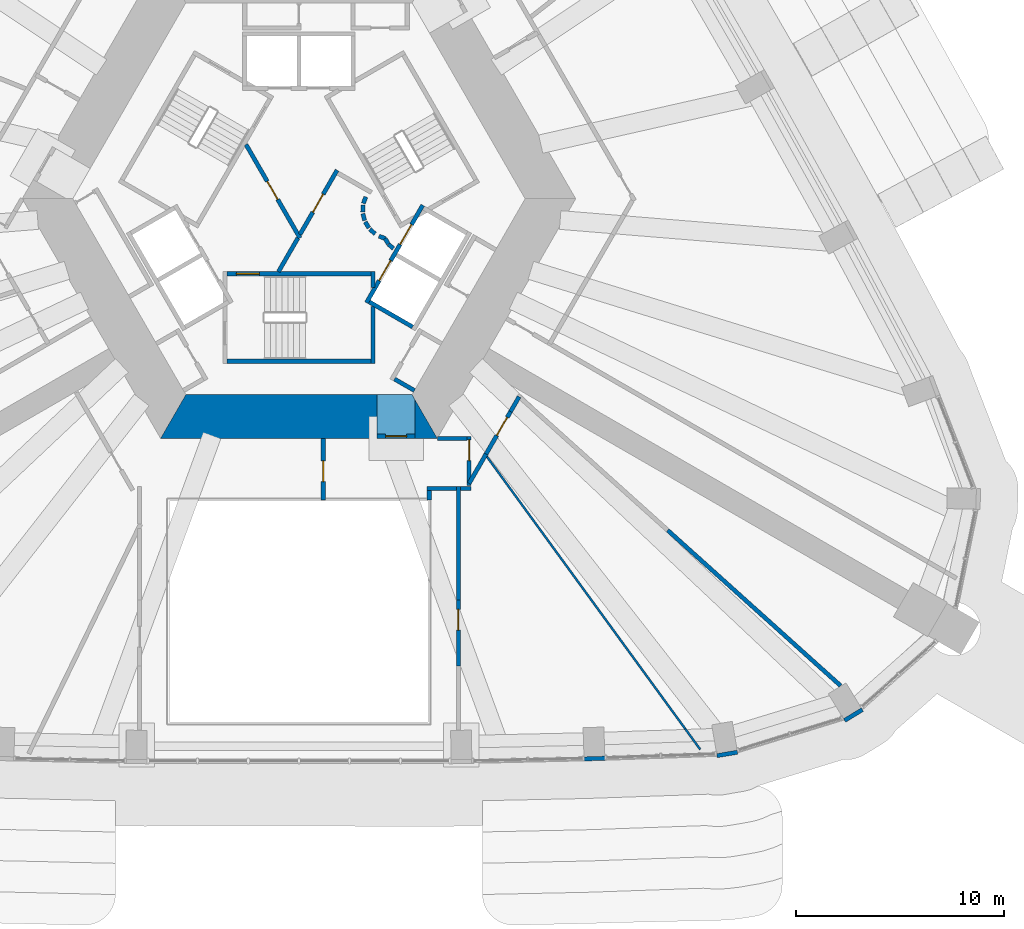
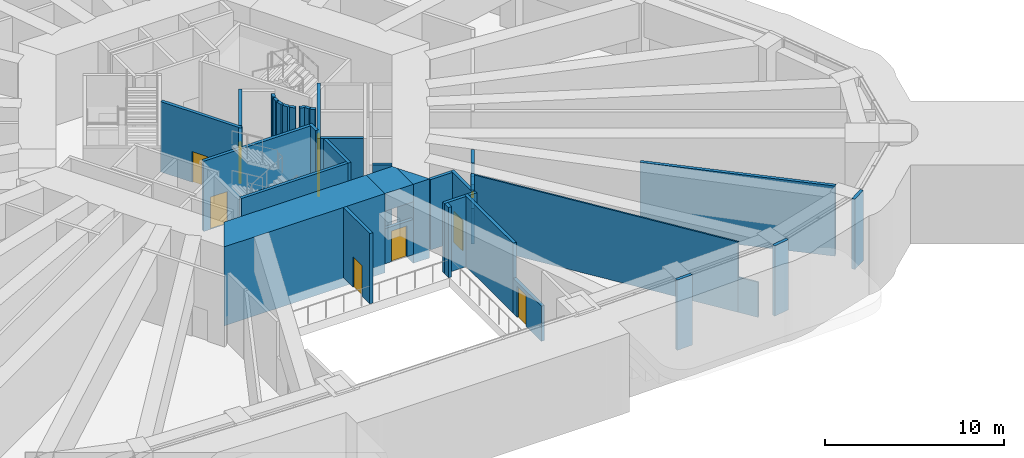
# One storey, part 9 of 21: 40 walls, 10 doors, 10 openings.
"""IFC4 building model written with IfcOpenShell, lengths in metres."""

from ifc_helpers import new_model, si_unit, direction, frame, frame_2d, origin, place, context, subcontext, project, spatial, polyline, rectangle, outline, extrude, material, layer, layer_set, type_object, element, fill, save


model = new_model("IFC4")

# Units and contexts
model_context = context("Model", 3, precision=1e-05, world=origin(), true_north=direction((0.0, 1.0)))
body_context = subcontext(model_context, "Body", "Model", "MODEL_VIEW")
ifc_project = project(units=[si_unit("LENGTHUNIT", "METRE"), si_unit("AREAUNIT", "SQUARE_METRE"), si_unit("VOLUMEUNIT", "CUBIC_METRE"), si_unit("PLANEANGLEUNIT", "RADIAN"), si_unit("MASSUNIT", "GRAM", prefix="KILO")], contexts=[model_context])

# Site, building, storey
site_placement = place(None, origin())
site = spatial("IfcSite", under=ifc_project, at=site_placement, CompositionType="ELEMENT")
building_placement = place(site_placement, origin())
building = spatial("IfcBuilding", under=site, at=building_placement, Name="Entoto Arch Interchange Tower", CompositionType="ELEMENT")
storey_placement = place(building_placement, frame((0.0, 0.0, 236.0)))
storey = spatial("IfcBuildingStorey", under=building, at=storey_placement, Name="L53", CompositionType="ELEMENT", Elevation=236.0)

# Wall, opening, door
ifc_material_1 = material(Name="Reinforced concrete C40/50", Category="concrete")
ifc_layer_1 = layer(ifc_material_1, 0.199951171875)
ifc_layer_set_1 = layer_set([ifc_layer_1], Name="Reinforced concrete C40/50")
wall_type_1 = type_object("IfcWallType", Name="CORE GAP INFILL WALL", PredefinedType="PARTITIONING", material=ifc_layer_set_1)
wall_1_placement = place(storey_placement, frame((3.75, -8.89990234375, 0.0), z_axis=(0.0, 0.0, 1.0), x_axis=(1.0, 0.0, 0.0)))
wall_1 = element("IfcWall", 1, at=wall_1_placement, inside=storey, type_object=wall_type_1, Name="wall:L53:gap1", PredefinedType="PARTITIONING", context=body_context, shape_type="SweptSolid", body=[
    extrude(rectangle(XDim=1.830078125, YDim=0.199951171875, at=frame_2d((0.9150390625, 0.0))), origin(), (0.0, 0.0, 1.0), 2.39990234375),
])
opening_1_placement = place(wall_1_placement, frame((0.4150390625, 0.0, 0.0)))
opening_1 = element("IfcOpeningElement", 2, at=opening_1_placement, cuts=wall_1, Name="Opening L53-D91", PredefinedType="OPENING", context=body_context, shape_type="SweptSolid", body=[
    extrude(rectangle(XDim=1.0, YDim=2.10009765625, at=frame_2d((0.5, 1.050048828125))), frame((0.0, 0.10986328125, 0.0), z_axis=(0.0, -1.0, 0.0), x_axis=(1.0, 0.0, 0.0)), (0.0, 0.0, 1.0), 0.219970703125),
])
ifc_material_2 = material(Name="Fire-rated Steel S235 door and frame", Category="steel")
door_type_1 = type_object("IfcDoorType", Name="DOOR FD-10 1000x2100", OperationType="SINGLE_SWING_LEFT", PredefinedType="DOOR", material=ifc_material_2)
door_1_placement = place(opening_1_placement, origin())
door_1 = element("IfcDoor", 3, at=door_1_placement, inside=storey, type_object=door_type_1, Name="door:L53:gap1", OperationType="SINGLE_SWING_LEFT", OverallHeight=2.10009765625, OverallWidth=1.0, PredefinedType="DOOR", context=body_context, shape_type="SweptSolid", body=[
    extrude(rectangle(XDim=1.0, YDim=2.10009765625, at=frame_2d((0.5, 1.050048828125))), frame((0.0, 0.02490234375, 0.0), z_axis=(0.0, -1.0, 0.0), x_axis=(1.0, 0.0, 0.0)), (0.0, 0.0, 1.0), 0.050048828125),
])
fill(opening_1, door_1)

# Walls
ifc_material_3 = material(Name="Concrete C50/60", Category="concrete")
ifc_layer_2 = layer(ifc_material_3, 2.10009765625)
ifc_layer_set_2 = layer_set([ifc_layer_2], Name="Concrete C50/60")
wall_type_2 = type_object("IfcWallType", Name="Core wall 2100 C50/60", PredefinedType="SHEAR", material=ifc_layer_set_2)
wall_2_placement = place(storey_placement, frame((0.0, 0.0, -0.60009765625)))
element("IfcWall", 4, at=wall_2_placement, inside=storey, type_object=wall_type_2, Name="Core wall S L53", PredefinedType="SHEAR", context=body_context, shape_type="SweptSolid", body=[
    extrude(outline(polyline([(3.75, -9.0), (3.75, -6.89990234375), (-5.427001953125, -6.89990234375), (-6.639892578125, -9.0), (3.75, -9.0)])), origin(), (0.0, 0.0, 1.0), 5.400146484375),
])
wall_3_placement = place(storey_placement, frame((0.0, 0.0, -0.60009765625)))
element("IfcWall", 5, at=wall_3_placement, inside=storey, type_object=wall_type_2, Name="Core wall S L53", PredefinedType="SHEAR", context=body_context, shape_type="SweptSolid", body=[
    extrude(outline(polyline([(5.580078125, -7.1650390625), (5.580078125, -9.0), (6.639892578125, -9.0), (5.580078125, -7.1650390625)])), origin(), (0.0, 0.0, 1.0), 5.400146484375),
])
wall_4_placement = place(storey_placement, frame((0.0, 0.0, 3.60009765625)))
element("IfcWall", 6, at=wall_4_placement, inside=storey, type_object=wall_type_2, Name="Core wall lintel S L53", PredefinedType="SHEAR", context=body_context, shape_type="SweptSolid", body=[
    extrude(outline(polyline([(5.580078125, -9.0), (5.580078125, -7.1650390625), (5.427001953125, -6.89990234375), (3.75, -6.89990234375), (3.75, -9.0), (5.580078125, -9.0)])), origin(), (0.0, 0.0, 1.0), 1.199951171875),
])

# Wall, openings, doors
ifc_material_4 = material(Name="Concrete C40/50", Category="concrete")
ifc_layer_3 = layer(ifc_material_4, 0.199951171875)
ifc_layer_set_3 = layer_set([ifc_layer_3], Name="Concrete C40/50")
wall_type_3 = type_object("IfcWallType", Name="LIFT SHAFT WALL 200", PredefinedType="STANDARD", material=ifc_layer_set_3)
wall_5_placement = place(storey_placement, frame((3.239990234375, -2.488037109375, 0.0), z_axis=(0.0, 0.0, 1.0), x_axis=(0.500034260056, 0.866005622828, 0.0)))
wall_5 = element("IfcWall", 7, at=wall_5_placement, inside=storey, type_object=wall_type_3, Name="Shaft wall SE1 front", PredefinedType="STANDARD", context=body_context, shape_type="SweptSolid", body=[
    extrude(rectangle(XDim=5.3994140625, YDim=0.199951171875, at=frame_2d((2.69970703125, 0.0))), origin(), (0.0, 0.0, 1.0), 4.800048828125),
])
opening_2_placement = place(wall_5_placement, frame((3.22509765625, 0.0, 0.0)))
opening_2 = element("IfcOpeningElement", 8, at=opening_2_placement, cuts=wall_5, Name="Opening LD-HR3-L53", PredefinedType="OPENING", context=body_context, shape_type="SweptSolid", body=[
    extrude(rectangle(XDim=1.10009765625, YDim=2.10009765625, at=frame_2d((0.550048828125, 1.050048828125))), frame((0.0, 0.10986328125, 0.0), z_axis=(0.0, -1.0, 0.0), x_axis=(1.0, 0.0, 0.0)), (0.0, 0.0, 1.0), 0.219970703125),
])
opening_3_placement = place(wall_5_placement, frame((1.22509765625, 0.0, 0.0)))
opening_3 = element("IfcOpeningElement", 9, at=opening_3_placement, cuts=wall_5, Name="Opening LD-FF1-L53", PredefinedType="OPENING", context=body_context, shape_type="SweptSolid", body=[
    extrude(rectangle(XDim=1.10009765625, YDim=2.10009765625, at=frame_2d((0.550048828125, 1.050048828125))), frame((0.0, 0.10986328125, 0.0), z_axis=(0.0, -1.0, 0.0), x_axis=(1.0, 0.0, 0.0)), (0.0, 0.0, 1.0), 0.219970703125),
])
ifc_material_5 = material(Name="Stainless steel 1.4301 panels", Category="steel")
door_type_2 = type_object("IfcDoorType", Name="LIFT LANDING DOOR LD1 1100x2100", OperationType="SLIDING_TO_LEFT", PredefinedType="DOOR", material=ifc_material_5)
door_2_placement = place(opening_2_placement, origin())
door_2 = element("IfcDoor", 10, at=door_2_placement, inside=storey, type_object=door_type_2, Name="Lift landing door HR3 L53", OperationType="SLIDING_TO_LEFT", OverallHeight=2.10009765625, OverallWidth=1.10009765625, PredefinedType="DOOR", context=body_context, shape_type="SweptSolid", body=[
    extrude(rectangle(XDim=1.10009765625, YDim=2.10009765625, at=frame_2d((0.550048828125, 1.050048828125))), frame((0.0, 0.02490234375, 0.0), z_axis=(0.0, -1.0, 0.0), x_axis=(1.0, 0.0, 0.0)), (0.0, 0.0, 1.0), 0.050048828125),
])
fill(opening_2, door_2)
door_3_placement = place(opening_3_placement, origin())
door_3 = element("IfcDoor", 11, at=door_3_placement, inside=storey, type_object=door_type_2, Name="Lift landing door FF1 L53", OperationType="SLIDING_TO_LEFT", OverallHeight=2.10009765625, OverallWidth=1.10009765625, PredefinedType="DOOR", context=body_context, shape_type="SweptSolid", body=[
    extrude(rectangle(XDim=1.10009765625, YDim=2.10009765625, at=frame_2d((0.550048828125, 1.050048828125))), frame((0.0, 0.02490234375, 0.0), z_axis=(0.0, -1.0, 0.0), x_axis=(1.0, 0.0, 0.0)), (0.0, 0.0, 1.0), 0.050048828125),
])
fill(opening_3, door_3)

# Walls
wall_6_placement = place(storey_placement, frame((3.376953125, -2.451904296875, 0.0), z_axis=(0.0, 0.0, 1.0), x_axis=(0.865955154139, -0.50012165622, 0.0)))
element("IfcWall", 12, at=wall_6_placement, inside=storey, type_object=wall_type_3, Name="Shaft wall SE1 cross 1", PredefinedType="STANDARD", context=body_context, shape_type="SweptSolid", body=[
    extrude(rectangle(XDim=2.39990234375, YDim=0.199951171875, at=frame_2d((1.199951171875, 0.0))), origin(), (0.0, 0.0, 1.0), 4.800048828125),
])
ifc_material_6 = material(Name="Gypsum board partition on steel studs", Category="steel")
ifc_layer_4 = layer(ifc_material_6, 0.10009765625)
ifc_layer_set_4 = layer_set([ifc_layer_4], Name="Gypsum board partition on steel studs")
wall_type_4 = type_object("IfcWallType", Name="PARTITION 100", PredefinedType="PARTITIONING", material=ifc_layer_set_4)
wall_7_placement = place(storey_placement, frame((8.89599609375, -9.708984375, 0.0), z_axis=(0.0, 0.0, 1.0), x_axis=(0.588922600502, -0.808189439808, 0.0)))
element("IfcWall", 13, at=wall_7_placement, inside=storey, type_object=wall_type_4, Name="wall:L53:p043", PredefinedType="PARTITIONING", context=body_context, shape_type="SweptSolid", body=[
    extrude(rectangle(XDim=16.36865234375, YDim=0.10009765625, at=frame_2d((8.184326171875, 0.0))), origin(), (0.0, 0.0, 1.0), 4.800048828125),
])
wall_8_placement = place(storey_placement, frame((18.535888671875, -22.93798828125, 0.0), z_axis=(0.0, 0.0, 1.0), x_axis=(0.588777790092, -0.808294942391, 0.0)))
element("IfcWall", 14, at=wall_8_placement, inside=storey, type_object=wall_type_4, Name="wall:L53:p043", PredefinedType="PARTITIONING", context=body_context, shape_type="SweptSolid", body=[
    extrude(rectangle(XDim=1.22119140625, YDim=0.10009765625, at=frame_2d((0.610595703125, 0.0))), origin(), (0.0, 0.0, 1.0), 2.39990234375),
])
ifc_layer_5 = layer(ifc_material_6, 0.199951171875)
ifc_layer_set_5 = layer_set([ifc_layer_5], Name="Gypsum board partition on steel studs")
wall_type_5 = type_object("IfcWallType", Name="PARTITION 200", PredefinedType="PARTITIONING", material=ifc_layer_set_5)
wall_9_placement = place(storey_placement, frame((5.541015625, -6.702880859375, 0.0), z_axis=(0.0, 0.0, 1.0), x_axis=(-0.86621513555, 0.499671230855, 0.0)))
element("IfcWall", 15, at=wall_9_placement, inside=storey, type_object=wall_type_5, Name="wall:L53:p007", PredefinedType="PARTITIONING", context=body_context, shape_type="SweptSolid", body=[
    extrude(rectangle(XDim=1.100341796875, YDim=0.199951171875, at=frame_2d((0.55029296875, 0.0))), origin(), (0.0, 0.0, 1.0), 4.800048828125),
])
wall_10_placement = place(storey_placement, frame((-0.98193359375, -1.0, 0.0), z_axis=(0.0, 0.0, 1.0), x_axis=(0.50024047865, 0.865886518847, 0.0)))
element("IfcWall", 16, at=wall_10_placement, inside=storey, type_object=wall_type_5, Name="wall:L53:p019", PredefinedType="PARTITIONING", context=body_context, shape_type="SweptSolid", body=[
    extrude(rectangle(XDim=1.86279296875, YDim=0.199951171875, at=frame_2d((0.931396484375, 0.0))), origin(), (0.0, 0.0, 1.0), 4.800048828125),
])
wall_11_placement = place(storey_placement, frame((3.2080078125, 2.592041015625, 0.0), z_axis=(0.0, 0.0, 1.0), x_axis=(-0.337388820924, -0.941365382578, 0.0)))
element("IfcWall", 17, at=wall_11_placement, inside=storey, type_object=wall_type_5, Name="wall:L53:p021", PredefinedType="PARTITIONING", context=body_context, shape_type="SweptSolid", body=[
    extrude(rectangle(XDim=0.337890625, YDim=0.199951171875, at=frame_2d((0.1689453125, 0.0))), origin(), (0.0, 0.0, 1.0), 4.800048828125),
])
wall_12_placement = place(storey_placement, frame((3.0791015625, 2.198974609375, 0.0), z_axis=(0.0, 0.0, 1.0), x_axis=(-0.047771483479, -0.998858290933, 0.0)))
element("IfcWall", 18, at=wall_12_placement, inside=storey, type_object=wall_type_5, Name="wall:L53:p022", PredefinedType="PARTITIONING", context=body_context, shape_type="SweptSolid", body=[
    extrude(rectangle(XDim=0.33740234375, YDim=0.199951171875, at=frame_2d((0.168701171875, 0.0))), origin(), (0.0, 0.0, 1.0), 4.800048828125),
])
wall_13_placement = place(storey_placement, frame((3.070068359375, 1.785888671875, 0.0), z_axis=(0.0, 0.0, 1.0), x_axis=(0.242705583207, -0.970099994784, 0.0)))
element("IfcWall", 19, at=wall_13_placement, inside=storey, type_object=wall_type_5, Name="wall:L53:p023", PredefinedType="PARTITIONING", context=body_context, shape_type="SweptSolid", body=[
    extrude(rectangle(XDim=0.337890625, YDim=0.199951171875, at=frame_2d((0.1689453125, 0.0))), origin(), (0.0, 0.0, 1.0), 4.800048828125),
])
for number, where, z_axis, x_axis, name in (
    (20, (3.181884765625, 1.387939453125, 0.0), (0.0, 0.0, 1.0), (0.512474702713, -0.85870232274, 0.0), "wall:L53:p024"),
    (21, (3.404052734375, 1.0390625, 0.0), (0.0, 0.0, 1.0), (0.740267097712, -0.672312891476, 0.0), "wall:L53:p025"),
):
    element("IfcWall", number, at=place(storey_placement, frame(where, z_axis=z_axis, x_axis=x_axis)), inside=storey, type_object=wall_type_5, Name=name, PredefinedType="PARTITIONING", context=body_context, shape_type="SweptSolid", body=[
        extrude(rectangle(XDim=0.337646484375, YDim=0.199951171875, at=frame_2d((0.1689453125, 0.0))), origin(), (0.0, 0.0, 1.0), 4.800048828125),
    ])
wall_14_placement = place(storey_placement, frame((3.837890625, 0.701904296875, 0.0), z_axis=(0.0, 0.0, 1.0), x_axis=(0.941035081519, -0.338308993895, 0.0)))
element("IfcWall", 22, at=wall_14_placement, inside=storey, type_object=wall_type_5, Name="wall:L53:p026", PredefinedType="PARTITIONING", context=body_context, shape_type="SweptSolid", body=[
    extrude(rectangle(XDim=0.3369140625, YDim=0.199951171875, at=frame_2d((0.16845703125, 0.0))), origin(), (0.0, 0.0, 1.0), 4.800048828125),
])
wall_15_placement = place(storey_placement, frame((4.132080078125, 0.593017578125, 0.0), z_axis=(0.0, 0.0, 1.0), x_axis=(0.513561617048, -0.858052717201, 0.0)))
element("IfcWall", 23, at=wall_15_placement, inside=storey, type_object=wall_type_5, Name="wall:L53:p027", PredefinedType="PARTITIONING", context=body_context, shape_type="SweptSolid", body=[
    extrude(rectangle(XDim=0.3076171875, YDim=0.199951171875, at=frame_2d((0.15380859375, 0.0))), origin(), (0.0, 0.0, 1.0), 4.800048828125),
])
wall_16_placement = place(storey_placement, frame((4.301025390625, 0.31494140625, 0.0), z_axis=(0.0, 0.0, 1.0), x_axis=(0.741798017506, -0.670623367639, 0.0)))
element("IfcWall", 24, at=wall_16_placement, inside=storey, type_object=wall_type_5, Name="wall:L53:p028", PredefinedType="PARTITIONING", context=body_context, shape_type="SweptSolid", body=[
    extrude(rectangle(XDim=0.30859375, YDim=0.199951171875, at=frame_2d((0.154296875, 0.0))), origin(), (0.0, 0.0, 1.0), 4.800048828125),
])

# Wall, opening, door
wall_17_placement = place(storey_placement, frame((0.050048828125, 0.787109375, 0.0), z_axis=(0.0, 0.0, 1.0), x_axis=(0.499954076797, 0.866051915934, 0.0)))
wall_17 = element("IfcWall", 25, at=wall_17_placement, inside=storey, type_object=wall_type_5, Name="wall:L53:p029", PredefinedType="PARTITIONING", context=body_context, shape_type="SweptSolid", body=[
    extrude(rectangle(XDim=3.558349609375, YDim=0.199951171875, at=frame_2d((1.779296875, 0.0))), origin(), (0.0, 0.0, 1.0), 4.800048828125),
])
opening_4_placement = place(wall_17_placement, frame((1.22900390625, 0.0, 0.0)))
opening_4 = element("IfcOpeningElement", 26, at=opening_4_placement, cuts=wall_17, Name="Opening L53-D20", PredefinedType="OPENING", context=body_context, shape_type="SweptSolid", body=[
    extrude(rectangle(XDim=1.0, YDim=2.10009765625, at=frame_2d((0.5, 1.050048828125))), frame((0.0, 0.10986328125, 0.0), z_axis=(0.0, -1.0, 0.0), x_axis=(1.0, 0.0, 0.0)), (0.0, 0.0, 1.0), 0.219970703125),
])
door_4_placement = place(opening_4_placement, origin())
door_4 = element("IfcDoor", 27, at=door_4_placement, inside=storey, type_object=door_type_1, Name="door:L53:20", OperationType="SINGLE_SWING_RIGHT", OverallHeight=2.10009765625, OverallWidth=1.0, PredefinedType="DOOR", context=body_context, shape_type="SweptSolid", body=[
    extrude(rectangle(XDim=1.0, YDim=2.10009765625, at=frame_2d((0.5, 1.050048828125))), frame((0.0, 0.02490234375, 0.0), z_axis=(0.0, -1.0, 0.0), x_axis=(1.0, 0.0, 0.0)), (0.0, 0.0, 1.0), 0.050048828125),
])
fill(opening_4, door_4)

wall_18_placement = place(storey_placement, frame((-2.5400390625, 5.10009765625, 0.0), z_axis=(0.0, 0.0, 1.0), x_axis=(0.499925051871, -0.866068670783, 0.0)))
wall_18 = element("IfcWall", 28, at=wall_18_placement, inside=storey, type_object=wall_type_5, Name="wall:L53:p030", PredefinedType="PARTITIONING", context=body_context, shape_type="SweptSolid", body=[
    extrude(rectangle(XDim=5.180908203125, YDim=0.199951171875, at=frame_2d((2.59033203125, 0.0))), origin(), (0.0, 0.0, 1.0), 4.800048828125),
])
opening_5_placement = place(wall_18_placement, frame((2.0400390625, 0.0, 0.0)))
opening_5 = element("IfcOpeningElement", 29, at=opening_5_placement, cuts=wall_18, Name="Opening L53-D21", PredefinedType="OPENING", context=body_context, shape_type="SweptSolid", body=[
    extrude(rectangle(XDim=1.0, YDim=2.10009765625, at=frame_2d((0.5, 1.050048828125))), frame((0.0, 0.10986328125, 0.0), z_axis=(0.0, -1.0, 0.0), x_axis=(1.0, 0.0, 0.0)), (0.0, 0.0, 1.0), 0.219970703125),
])
door_5_placement = place(opening_5_placement, origin())
door_5 = element("IfcDoor", 30, at=door_5_placement, inside=storey, type_object=door_type_1, Name="door:L53:21", OperationType="SINGLE_SWING_RIGHT", OverallHeight=2.10009765625, OverallWidth=1.0, PredefinedType="DOOR", context=body_context, shape_type="SweptSolid", body=[
    extrude(rectangle(XDim=1.0, YDim=2.10009765625, at=frame_2d((0.5, 1.050048828125))), frame((0.0, 0.02490234375, 0.0), z_axis=(0.0, -1.0, 0.0), x_axis=(1.0, 0.0, 0.0)), (0.0, 0.0, 1.0), 0.050048828125),
])
fill(opening_5, door_5)

wall_19_placement = place(storey_placement, frame((1.1650390625, -11.949951171875, 0.0), z_axis=(0.0, 0.0, 1.0), x_axis=(0.0, 1.0, 0.0)))
wall_19 = element("IfcWall", 31, at=wall_19_placement, inside=storey, type_object=wall_type_5, Name="wall:L53:p031", PredefinedType="PARTITIONING", context=body_context, shape_type="SweptSolid", body=[
    extrude(rectangle(XDim=2.949951171875, YDim=0.199951171875, at=frame_2d((1.47509765625, 0.0))), origin(), (0.0, 0.0, 1.0), 4.800048828125),
])
opening_6_placement = place(wall_19_placement, frame((0.8759765625, 0.0, 0.0)))
opening_6 = element("IfcOpeningElement", 32, at=opening_6_placement, cuts=wall_19, Name="Opening L53-D01", PredefinedType="OPENING", context=body_context, shape_type="SweptSolid", body=[
    extrude(rectangle(XDim=1.0, YDim=2.10009765625, at=frame_2d((0.5, 1.050048828125))), frame((0.0, 0.10986328125, 0.0), z_axis=(0.0, -1.0, 0.0), x_axis=(1.0, 0.0, 0.0)), (0.0, 0.0, 1.0), 0.219970703125),
])
door_6_placement = place(opening_6_placement, origin())
door_6 = element("IfcDoor", 33, at=door_6_placement, inside=storey, type_object=door_type_1, Name="door:L53:01", OperationType="SINGLE_SWING_LEFT", OverallHeight=2.10009765625, OverallWidth=1.0, PredefinedType="DOOR", context=body_context, shape_type="SweptSolid", body=[
    extrude(rectangle(XDim=1.0, YDim=2.10009765625, at=frame_2d((0.5, 1.050048828125))), frame((0.0, 0.02490234375, 0.0), z_axis=(0.0, -1.0, 0.0), x_axis=(1.0, 0.0, 0.0)), (0.0, 0.0, 1.0), 0.050048828125),
])
fill(opening_6, door_6)

# Walls
wall_20_placement = place(storey_placement, frame((7.550048828125, -11.39990234375, 0.0), z_axis=(0.0, 0.0, 1.0), x_axis=(-1.0, 0.0, 0.0)))
element("IfcWall", 34, at=wall_20_placement, inside=storey, type_object=wall_type_5, Name="wall:L53:p032", PredefinedType="PARTITIONING", context=body_context, shape_type="SweptSolid", body=[
    extrude(rectangle(XDim=1.399169921875, YDim=0.199951171875, at=frame_2d((0.69970703125, 0.0))), origin(), (0.0, 0.0, 1.0), 4.800048828125),
])
wall_21_placement = place(storey_placement, frame((6.25, -11.5, 0.0), z_axis=(0.0, 0.0, 1.0), x_axis=(0.0, -1.0, 0.0)))
element("IfcWall", 35, at=wall_21_placement, inside=storey, type_object=wall_type_5, Name="wall:L53:p033", PredefinedType="PARTITIONING", context=body_context, shape_type="SweptSolid", body=[
    extrude(rectangle(XDim=0.449951171875, YDim=0.199951171875, at=frame_2d((0.22509765625, 0.0))), origin(), (0.0, 0.0, 1.0), 4.800048828125),
])
wall_22_placement = place(storey_placement, frame((6.639892578125, -9.0, 0.0), z_axis=(0.0, 0.0, 1.0), x_axis=(1.0, 0.0, 0.0)))
element("IfcWall", 36, at=wall_22_placement, inside=storey, type_object=wall_type_5, Name="wall:L53:p034", PredefinedType="PARTITIONING", context=body_context, shape_type="SweptSolid", body=[
    extrude(rectangle(XDim=1.425048828125, YDim=0.199951171875, at=frame_2d((0.71240234375, 0.0))), origin(), (0.0, 0.0, 1.0), 4.800048828125),
])

# Wall, opening, door
wall_23_placement = place(storey_placement, frame((8.1650390625, -8.89990234375, 0.0), z_axis=(0.0, 0.0, 1.0), x_axis=(0.0, -1.0, 0.0)))
wall_23 = element("IfcWall", 37, at=wall_23_placement, inside=storey, type_object=wall_type_5, Name="wall:L53:p035", PredefinedType="PARTITIONING", context=body_context, shape_type="SweptSolid", body=[
    extrude(rectangle(XDim=2.359130859375, YDim=0.199951171875, at=frame_2d((1.1796875, 0.0))), origin(), (0.0, 0.0, 1.0), 4.800048828125),
])
opening_7_placement = place(wall_23_placement, frame((0.1708984375, 0.0, 0.0)))
opening_7 = element("IfcOpeningElement", 38, at=opening_7_placement, cuts=wall_23, Name="Opening L53-D02", PredefinedType="OPENING", context=body_context, shape_type="SweptSolid", body=[
    extrude(rectangle(XDim=1.0, YDim=2.10009765625, at=frame_2d((0.5, 1.050048828125))), frame((0.0, 0.10986328125, 0.0), z_axis=(0.0, -1.0, 0.0), x_axis=(1.0, 0.0, 0.0)), (0.0, 0.0, 1.0), 0.219970703125),
])
door_7_placement = place(opening_7_placement, origin())
door_7 = element("IfcDoor", 39, at=door_7_placement, inside=storey, type_object=door_type_1, Name="door:L53:02", OperationType="SINGLE_SWING_RIGHT", OverallHeight=2.10009765625, OverallWidth=1.0, PredefinedType="DOOR", context=body_context, shape_type="SweptSolid", body=[
    extrude(rectangle(XDim=1.0, YDim=2.10009765625, at=frame_2d((0.5, 1.050048828125))), frame((0.0, 0.02490234375, 0.0), z_axis=(0.0, -1.0, 0.0), x_axis=(1.0, 0.0, 0.0)), (0.0, 0.0, 1.0), 0.050048828125),
])
fill(opening_7, door_7)

# Walls
wall_24_placement = place(storey_placement, frame((8.264892578125, -11.39990234375, 0.0), z_axis=(0.0, 0.0, 1.0), x_axis=(-1.0, 0.0, 0.0)))
element("IfcWall", 40, at=wall_24_placement, inside=storey, type_object=wall_type_5, Name="wall:L53:p036", PredefinedType="PARTITIONING", context=body_context, shape_type="SweptSolid", body=[
    extrude(rectangle(XDim=0.514892578125, YDim=0.199951171875, at=frame_2d((0.25732421875, 0.0))), origin(), (0.0, 0.0, 1.0), 4.800048828125),
])
wall_25_placement = place(storey_placement, frame((7.64990234375, -11.300048828125, 0.0), z_axis=(0.0, 0.0, 1.0), x_axis=(0.0, -1.0, 0.0)))
element("IfcWall", 41, at=wall_25_placement, inside=storey, type_object=wall_type_5, Name="wall:L53:p037", PredefinedType="PARTITIONING", context=body_context, shape_type="SweptSolid", body=[
    extrude(rectangle(XDim=5.46484375, YDim=0.199951171875, at=frame_2d((2.732421875, 0.0))), origin(), (0.0, 0.0, 1.0), 4.800048828125),
])
wall_26_placement = place(storey_placement, frame((8.97998046875, -9.7470703125, 0.0), z_axis=(0.0, 0.0, 1.0), x_axis=(-0.499908274205, -0.866078355221, 0.0)))
element("IfcWall", 42, at=wall_26_placement, inside=storey, type_object=wall_type_5, Name="wall:L53:p041", PredefinedType="PARTITIONING", context=body_context, shape_type="SweptSolid", body=[
    extrude(rectangle(XDim=1.630126953125, YDim=0.199951171875, at=frame_2d((0.81494140625, 0.0))), origin(), (0.0, 0.0, 1.0), 4.800048828125),
])
wall_27_placement = place(storey_placement, frame((10.56591796875, -7.0, 0.0), z_axis=(0.0, 0.0, 1.0), x_axis=(-0.500252895651, -0.86587934517, 0.0)))
element("IfcWall", 43, at=wall_27_placement, inside=storey, type_object=wall_type_5, Name="wall:L53:p042", PredefinedType="PARTITIONING", context=body_context, shape_type="SweptSolid", body=[
    extrude(rectangle(XDim=0.8232421875, YDim=0.199951171875, at=frame_2d((0.41162109375, 0.0))), origin(), (0.0, 0.0, 1.0), 2.39990234375),
])

# Wall, opening, door
wall_28_placement = place(storey_placement, frame((7.64990234375, -16.764892578125, 0.0), z_axis=(0.0, 0.0, 1.0), x_axis=(0.0, -1.0, 0.0)))
wall_28 = element("IfcWall", 44, at=wall_28_placement, inside=storey, type_object=wall_type_5, Name="wall:L53:p037", PredefinedType="PARTITIONING", context=body_context, shape_type="SweptSolid", body=[
    extrude(rectangle(XDim=3.1572265625, YDim=0.199951171875, at=frame_2d((1.57861328125, 0.0))), origin(), (0.0, 0.0, 1.0), 2.39990234375),
])
opening_8_placement = place(wall_28_placement, frame((0.44091796875, 0.0, 0.0)))
opening_8 = element("IfcOpeningElement", 45, at=opening_8_placement, cuts=wall_28, Name="Opening L53-D18", PredefinedType="OPENING", context=body_context, shape_type="SweptSolid", body=[
    extrude(rectangle(XDim=1.0, YDim=2.10009765625, at=frame_2d((0.5, 1.050048828125))), frame((0.0, 0.10986328125, 0.0), z_axis=(0.0, -1.0, 0.0), x_axis=(1.0, 0.0, 0.0)), (0.0, 0.0, 1.0), 0.219970703125),
])
ifc_material_7 = material(Name="Timber door leaf in Steel S235 frame", Category="steel")
door_type_3 = type_object("IfcDoorType", Name="DOOR DS-10 1000x2100", OperationType="SINGLE_SWING_LEFT", PredefinedType="DOOR", material=ifc_material_7)
door_8_placement = place(opening_8_placement, origin())
door_8 = element("IfcDoor", 46, at=door_8_placement, inside=storey, type_object=door_type_3, Name="door:L53:18", OperationType="SINGLE_SWING_RIGHT", OverallHeight=2.10009765625, OverallWidth=1.0, PredefinedType="DOOR", context=body_context, shape_type="SweptSolid", body=[
    extrude(rectangle(XDim=1.0, YDim=2.10009765625, at=frame_2d((0.5, 1.050048828125))), frame((0.0, 0.02490234375, 0.0), z_axis=(0.0, -1.0, 0.0), x_axis=(1.0, 0.0, 0.0)), (0.0, 0.0, 1.0), 0.050048828125),
])
fill(opening_8, door_8)

wall_29_placement = place(storey_placement, frame((10.154052734375, -7.712890625, 0.0), z_axis=(0.0, 0.0, 1.0), x_axis=(-0.500265304803, -0.865872175792, 0.0)))
wall_29 = element("IfcWall", 47, at=wall_29_placement, inside=storey, type_object=wall_type_5, Name="wall:L53:p042", PredefinedType="PARTITIONING", context=body_context, shape_type="SweptSolid", body=[
    extrude(rectangle(XDim=1.323486328125, YDim=0.199951171875, at=frame_2d((0.66162109375, 0.0))), origin(), (0.0, 0.0, 1.0), 4.800048828125),
])
opening_9_placement = place(wall_29_placement, frame((0.320068359375, 0.0, 0.0)))
opening_9 = element("IfcOpeningElement", 48, at=opening_9_placement, cuts=wall_29, Name="Opening L53-D05", PredefinedType="OPENING", context=body_context, shape_type="SweptSolid", body=[
    extrude(rectangle(XDim=1.0, YDim=2.10009765625, at=frame_2d((0.5, 1.050048828125))), frame((0.0, 0.10986328125, 0.0), z_axis=(0.0, -1.0, 0.0), x_axis=(1.0, 0.0, 0.0)), (0.0, 0.0, 1.0), 0.219970703125),
])
door_9_placement = place(opening_9_placement, origin())
door_9 = element("IfcDoor", 49, at=door_9_placement, inside=storey, type_object=door_type_3, Name="door:L53:05", OperationType="SINGLE_SWING_LEFT", OverallHeight=2.10009765625, OverallWidth=1.0, PredefinedType="DOOR", context=body_context, shape_type="SweptSolid", body=[
    extrude(rectangle(XDim=1.0, YDim=2.10009765625, at=frame_2d((0.5, 1.050048828125))), frame((0.0, 0.02490234375, 0.0), z_axis=(0.0, -1.0, 0.0), x_axis=(1.0, 0.0, 0.0)), (0.0, 0.0, 1.0), 0.050048828125),
])
fill(opening_9, door_9)

# Walls
wall_30_placement = place(storey_placement, frame((9.491943359375, -8.85888671875, 0.0), z_axis=(0.0, 0.0, 1.0), x_axis=(-0.499392554388, -0.866375828738, 0.0)))
element("IfcWall", 50, at=wall_30_placement, inside=storey, type_object=wall_type_5, Name="wall:L53:p042", PredefinedType="PARTITIONING", context=body_context, shape_type="SweptSolid", body=[
    extrude(rectangle(XDim=1.025146484375, YDim=0.199951171875, at=frame_2d((0.5126953125, 0.0))), origin(), (0.0, 0.0, 1.0), 2.39990234375),
])
wall_31_placement = place(storey_placement, frame((17.694091796875, -13.408935546875, 0.0), z_axis=(0.0, 0.0, 1.0), x_axis=(0.743600848277, -0.668623794403, 0.0)))
element("IfcWall", 51, at=wall_31_placement, inside=storey, type_object=wall_type_5, Name="wall:L53:p046", PredefinedType="PARTITIONING", context=body_context, shape_type="SweptSolid", body=[
    extrude(rectangle(XDim=11.158935546875, YDim=0.199951171875, at=frame_2d((5.57958984375, 0.0))), origin(), (0.0, 0.0, 1.0), 4.800048828125),
])
ifc_material_8 = material(Name="Board-marked precast concrete C50/60", Category="concrete")
ifc_layer_6 = layer(ifc_material_8, 0.199951171875)
ifc_layer_set_6 = layer_set([ifc_layer_6], Name="Board-marked precast concrete C50/60")
wall_type_6 = type_object("IfcWallType", Name="PRECAST FRAME WALL 200", PredefinedType="STANDARD", material=ifc_layer_set_6)
wall_32_placement = place(storey_placement, frame((13.681884765625, -24.381103515625, 0.0), z_axis=(0.0, 0.0, 1.0), x_axis=(0.999415245245, 0.034193092457, 0.0)))
element("IfcWall", 52, at=wall_32_placement, inside=storey, type_object=wall_type_6, Name="Frame pier S05 L53", PredefinedType="STANDARD", context=body_context, shape_type="SweptSolid", body=[
    extrude(rectangle(XDim=0.99951171875, YDim=0.199951171875, at=frame_2d((0.499755859375, 0.0))), origin(), (0.0, 0.0, 1.0), 4.800048828125),
])
wall_33_placement = place(storey_placement, frame((20.05908203125, -24.22509765625, 0.0), z_axis=(0.0, 0.0, 1.0), x_axis=(0.985590881145, 0.169146726259, 0.0)))
element("IfcWall", 53, at=wall_33_placement, inside=storey, type_object=wall_type_6, Name="Frame pier S06 L53", PredefinedType="STANDARD", context=body_context, shape_type="SweptSolid", body=[
    extrude(rectangle(XDim=1.000244140625, YDim=0.199951171875, at=frame_2d((0.5, 0.0))), origin(), (0.0, 0.0, 1.0), 4.800048828125),
])
wall_34_placement = place(storey_placement, frame((26.179931640625, -22.535888671875, 0.0), z_axis=(0.0, 0.0, 1.0), x_axis=(0.853679739553, 0.520798331677, 0.0)))
element("IfcWall", 54, at=wall_34_placement, inside=storey, type_object=wall_type_6, Name="Frame pier SE1 L53", PredefinedType="STANDARD", context=body_context, shape_type="SweptSolid", body=[
    extrude(rectangle(XDim=1.00048828125, YDim=0.199951171875, at=frame_2d((0.500244140625, 0.0))), origin(), (0.0, 0.0, 1.0), 4.800048828125),
])
ifc_layer_7 = layer(ifc_material_4, 0.199951171875)
ifc_layer_set_7 = layer_set([ifc_layer_7], Name="Concrete C40/50")
wall_type_7 = type_object("IfcWallType", Name="STAIR ENCLOSURE WALL 200", PredefinedType="STANDARD", material=ifc_layer_set_7)
wall_35_placement = place(storey_placement, frame((3.550048828125, -2.6669921875, 0.0), z_axis=(0.0, 0.0, 1.0), x_axis=(0.0, -1.0, 0.0)))
element("IfcWall", 55, at=wall_35_placement, inside=storey, type_object=wall_type_7, Name="Stair wall ST-S far", PredefinedType="STANDARD", context=body_context, shape_type="SweptSolid", body=[
    extrude(rectangle(XDim=2.73291015625, YDim=0.199951171875, at=frame_2d((1.366455078125, 0.0))), origin(), (0.0, 0.0, 1.0), 4.800048828125),
])
wall_36_placement = place(storey_placement, frame((3.550048828125, -1.0, 0.0), z_axis=(0.0, 0.0, 1.0), x_axis=(0.0, -1.0, 0.0)))
element("IfcWall", 56, at=wall_36_placement, inside=storey, type_object=wall_type_7, Name="Stair wall ST-S far return", PredefinedType="STANDARD", context=body_context, shape_type="SweptSolid", body=[
    extrude(rectangle(XDim=0.7509765625, YDim=0.199951171875, at=frame_2d((0.37548828125, 0.0))), origin(), (0.0, 0.0, 1.0), 4.800048828125),
])

# Wall, opening, door
wall_37_placement = place(storey_placement, frame((-3.449951171875, -1.10009765625, 0.0), z_axis=(0.0, 0.0, 1.0), x_axis=(1.0, 0.0, 0.0)))
wall_37 = element("IfcWall", 57, at=wall_37_placement, inside=storey, type_object=wall_type_7, Name="Stair wall ST-S hall", PredefinedType="STANDARD", context=body_context, shape_type="SweptSolid", body=[
    extrude(rectangle(XDim=6.89990234375, YDim=0.199951171875, at=frame_2d((3.449951171875, 0.0))), origin(), (0.0, 0.0, 1.0), 4.800048828125),
])
opening_10_placement = place(wall_37_placement, frame((0.449951171875, 0.0, 0.0)))
opening_10 = element("IfcOpeningElement", 58, at=opening_10_placement, cuts=wall_37, Name="Opening SD-ST-S-L53", PredefinedType="OPENING", context=body_context, shape_type="SweptSolid", body=[
    extrude(rectangle(XDim=1.10009765625, YDim=2.199951171875, at=frame_2d((0.550048828125, 1.10009765625))), frame((0.0, 0.10986328125, 0.0), z_axis=(0.0, -1.0, 0.0), x_axis=(1.0, 0.0, 0.0)), (0.0, 0.0, 1.0), 0.219970703125),
])
ifc_material_9 = material(Name="Steel S235", Category="steel")
door_type_4 = type_object("IfcDoorType", Name="STAIR DOOR SD1 1100x2200", OperationType="SINGLE_SWING_LEFT", PredefinedType="DOOR", material=ifc_material_9)
door_10_placement = place(opening_10_placement, origin())
door_10 = element("IfcDoor", 59, at=door_10_placement, inside=storey, type_object=door_type_4, Name="Stair door ST-S L53", OperationType="SINGLE_SWING_LEFT", OverallHeight=2.199951171875, OverallWidth=1.10009765625, PredefinedType="DOOR", context=body_context, shape_type="SweptSolid", body=[
    extrude(rectangle(XDim=1.10009765625, YDim=2.199951171875, at=frame_2d((0.550048828125, 1.10009765625))), frame((0.0, 0.02490234375, 0.0), z_axis=(0.0, -1.0, 0.0), x_axis=(1.0, 0.0, 0.0)), (0.0, 0.0, 1.0), 0.050048828125),
])
fill(opening_10, door_10)

# Wall
wall_38_placement = place(storey_placement, frame((-3.449951171875, -5.300048828125, 0.0), z_axis=(0.0, 0.0, 1.0), x_axis=(1.0, 0.0, 0.0)))
element("IfcWall", 60, at=wall_38_placement, inside=storey, type_object=wall_type_7, Name="Stair wall ST-S back", PredefinedType="STANDARD", context=body_context, shape_type="SweptSolid", body=[
    extrude(rectangle(XDim=6.89990234375, YDim=0.199951171875, at=frame_2d((3.449951171875, 0.0))), origin(), (0.0, 0.0, 1.0), 4.800048828125),
])

save(model, "model.ifc")
